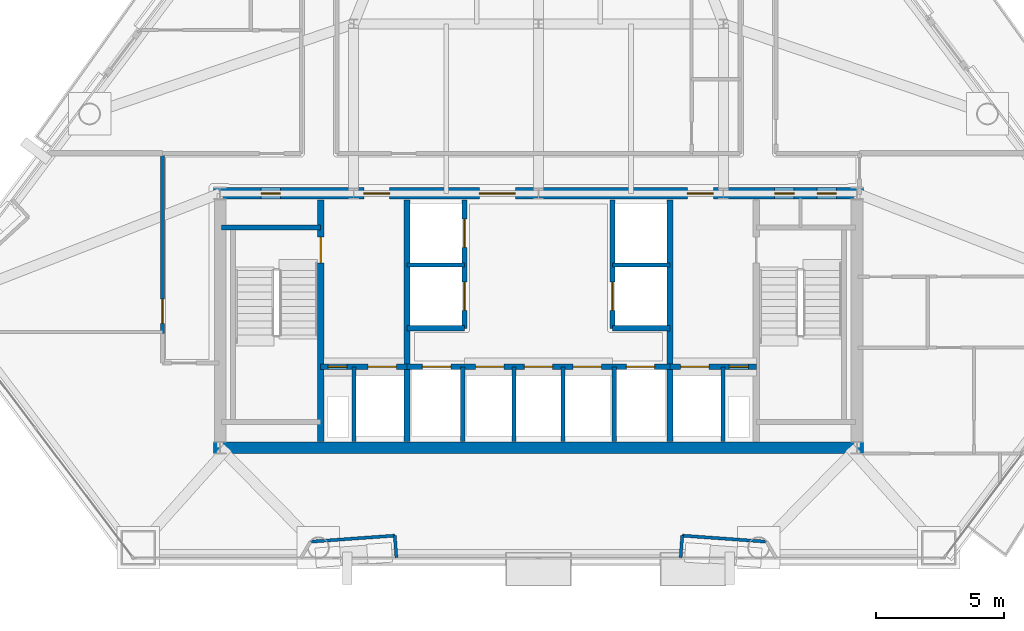
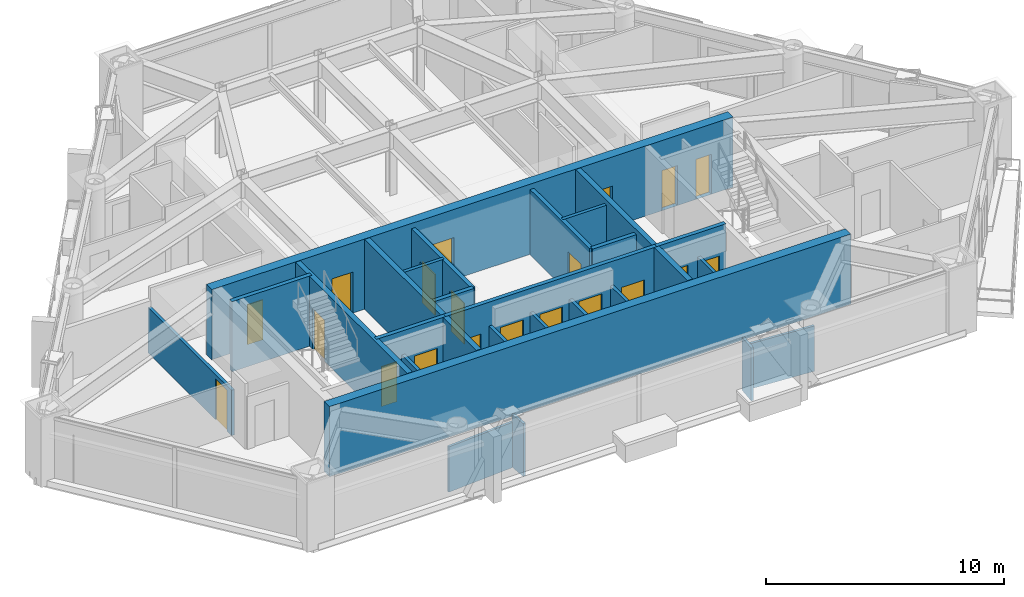
# One storey, part 6 of 10: 26 walls, 20 doors, 20 openings.
"""IFC4 building model written with IfcOpenShell, lengths in metres."""

from ifc_helpers import new_model, si_unit, direction, frame, frame_2d, origin, place, context, subcontext, project, spatial, rectangle, extrude, material, layer, layer_set, type_object, element, fill, save


model = new_model("IFC4")

# Units and contexts
model_context = context("Model", 3, precision=1e-05, world=origin(), true_north=direction((0.0, 1.0)))
body_context = subcontext(model_context, "Body", "Model", "MODEL_VIEW")
ifc_project = project(units=[si_unit("LENGTHUNIT", "METRE"), si_unit("AREAUNIT", "SQUARE_METRE"), si_unit("VOLUMEUNIT", "CUBIC_METRE"), si_unit("PLANEANGLEUNIT", "RADIAN"), si_unit("MASSUNIT", "GRAM", prefix="KILO")], contexts=[model_context])

# Site, building, storey
site_placement = place(None, origin())
site = spatial("IfcSite", under=ifc_project, at=site_placement, CompositionType="ELEMENT")
building_placement = place(site_placement, origin())
building = spatial("IfcBuilding", under=site, at=building_placement, Name="Talgorran Terracotta Tower", CompositionType="ELEMENT")
storey_placement = place(building_placement, frame((0.0, 0.0, 64.800048828125)))
storey = spatial("IfcBuildingStorey", under=building, at=storey_placement, Name="L16", CompositionType="ELEMENT", Elevation=64.800048828125)

# Wall
ifc_material_1 = material(Name="Concrete C50/60", Category="concrete")
ifc_layer_1 = layer(ifc_material_1, 0.199951171875, Name="WT_CORE_200")
ifc_layer_set_1 = layer_set([ifc_layer_1], Name="Concrete C50/60")
wall_type_1 = type_object("IfcWallType", Name="WT_CORE_200", PredefinedType="SOLIDWALL", material=ifc_layer_set_1)
wall_1_placement = place(storey_placement, frame((-12.35009765625, -5.52001953125, 0.0), z_axis=(0.0, 0.0, 1.0), x_axis=(1.0, 0.0, 0.0)))
element("IfcWall", 1, at=wall_1_placement, inside=storey, type_object=wall_type_1, Name="WL-L16-CW-ST1-N", PredefinedType="SOLIDWALL", context=body_context, shape_type="SweptSolid", body=[
    extrude(rectangle(XDim=3.8701171875, YDim=0.199951171875, at=frame_2d((1.93505859375, 0.0))), origin(), (0.0, 0.0, 1.0), 3.599853515625),
])

# Wall, openings, doors
wall_2_placement = place(storey_placement, frame((-8.47998046875, -10.949951171875, 0.0), z_axis=(0.0, 0.0, 1.0), x_axis=(1.0, 0.0, 0.0)))
wall_2 = element("IfcWall", 2, at=wall_2_placement, inside=storey, type_object=wall_type_1, Name="WL-L16-CW-H-SBW", PredefinedType="SOLIDWALL", context=body_context, shape_type="SweptSolid", body=[
    extrude(rectangle(XDim=3.35986328125, YDim=0.199951171875, at=frame_2d((1.679931640625, 0.0))), origin(), (0.0, 0.0, 1.0), 3.599853515625),
])
opening_1_placement = place(wall_2_placement, frame((0.280029296875, 0.0, 0.0)))
opening_1 = element("IfcOpeningElement", 3, at=opening_1_placement, cuts=wall_2, Name="Opening DR-RSW", PredefinedType="OPENING", context=body_context, shape_type="SweptSolid", body=[
    extrude(rectangle(XDim=0.756, YDim=2.054048828125, at=frame_2d((0.375, 1.027099609375))), frame((0.0, 0.10986328125, 0.0), z_axis=(0.0, -1.0, 0.0), x_axis=(1.0, 0.0, 0.0)), (0.0, 0.0, 1.0), 0.219970703125),
])
opening_2_placement = place(wall_2_placement, frame((1.85009765625, 0.0, 0.0)))
opening_2 = element("IfcOpeningElement", 4, at=opening_2_placement, cuts=wall_2, Name="Opening LD-FFL1", PredefinedType="OPENING", context=body_context, shape_type="SweptSolid", body=[
    extrude(rectangle(XDim=1.10609765625, YDim=2.10409765625, at=frame_2d((0.550048828125, 1.052001953125))), frame((0.0, 0.10986328125, 0.0), z_axis=(0.0, -1.0, 0.0), x_axis=(1.0, 0.0, 0.0)), (0.0, 0.0, 1.0), 0.219970703125),
])
ifc_material_2 = material(Name="Brushed Stainless Steel Grade 304", Category="steel")
door_type_1 = type_object("IfcDoorType", Name="DT_LIFT_LD1100", OperationType="DOUBLE_DOOR_SLIDING", PredefinedType="DOOR", material=ifc_material_2)
door_1_placement = place(opening_2_placement, origin())
door_1 = element("IfcDoor", 5, at=door_1_placement, inside=storey, type_object=door_type_1, Name="L16 Lift Landing Door LD-FFL1", OperationType="DOUBLE_DOOR_SLIDING", OverallHeight=2.10009765625, OverallWidth=1.10009765625, PredefinedType="DOOR", context=body_context, shape_type="SweptSolid", body=[
    extrude(rectangle(XDim=1.10009765625, YDim=2.10009765625, at=frame_2d((0.550048828125, 1.050048828125))), frame((0.0, 0.02490234375, 0.0), z_axis=(0.0, -1.0, 0.0), x_axis=(1.0, 0.0, 0.0)), (0.0, 0.0, 1.0), 0.050048828125),
])
fill(opening_2, door_1)
ifc_material_3 = material(Name="Fire-Rated Pressed Steel", Category="steel")
door_type_2 = type_object("IfcDoorType", Name="DT_RISER_750", OperationType="NOTDEFINED", PredefinedType="DOOR", material=ifc_material_3)
door_2_placement = place(opening_1_placement, origin())
door_2 = element("IfcDoor", 6, at=door_2_placement, inside=storey, type_object=door_type_2, Name="DR-RSW", OperationType="SINGLE_SWING_LEFT", OverallHeight=2.050048828125, OverallWidth=0.75, PredefinedType="DOOR", context=body_context, shape_type="SweptSolid", body=[
    extrude(rectangle(XDim=0.75, YDim=2.050048828125, at=frame_2d((0.375, 1.02490234375))), frame((0.0, 0.02490234375, 0.0), z_axis=(0.0, -1.0, 0.0), x_axis=(1.0, 0.0, 0.0)), (0.0, 0.0, 1.0), 0.050048828125),
])
fill(opening_1, door_2)

wall_3_placement = place(storey_placement, frame((-5.1201171875, -10.949951171875, 0.0), z_axis=(0.0, 0.0, 1.0), x_axis=(1.0, 0.0, 0.0)))
wall_3 = element("IfcWall", 7, at=wall_3_placement, inside=storey, type_object=wall_type_1, Name="WL-L16-CW-H-SBC", PredefinedType="SOLIDWALL", context=body_context, shape_type="SweptSolid", body=[
    extrude(rectangle(XDim=10.240234375, YDim=0.199951171875, at=frame_2d((5.1201171875, 0.0))), origin(), (0.0, 0.0, 1.0), 3.599853515625),
])
opening_3_placement = place(wall_3_placement, frame((0.60009765625, 0.0, 0.0)))
opening_3 = element("IfcOpeningElement", 8, at=opening_3_placement, cuts=wall_3, Name="Opening LD-OB1", PredefinedType="OPENING", context=body_context, shape_type="SweptSolid", body=[
    extrude(rectangle(XDim=1.10609765625, YDim=2.10409765625, at=frame_2d((0.550048828125, 1.052001953125))), frame((0.0, 0.10986328125, 0.0), z_axis=(0.0, -1.0, 0.0), x_axis=(1.0, 0.0, 0.0)), (0.0, 0.0, 1.0), 0.219970703125),
])
opening_4_placement = place(wall_3_placement, frame((2.669921875, 0.0, 0.0)))
opening_4 = element("IfcOpeningElement", 9, at=opening_4_placement, cuts=wall_3, Name="Opening LD-PLH1", PredefinedType="OPENING", context=body_context, shape_type="SweptSolid", body=[
    extrude(rectangle(XDim=1.10609765625, YDim=2.10409765625, at=frame_2d((0.550048828125, 1.052001953125))), frame((0.0, 0.10986328125, 0.0), z_axis=(0.0, -1.0, 0.0), x_axis=(1.0, 0.0, 0.0)), (0.0, 0.0, 1.0), 0.219970703125),
])
opening_5_placement = place(wall_3_placement, frame((4.570068359375, 0.0, 0.0)))
opening_5 = element("IfcOpeningElement", 10, at=opening_5_placement, cuts=wall_3, Name="Opening LD-PLH2", PredefinedType="OPENING", context=body_context, shape_type="SweptSolid", body=[
    extrude(rectangle(XDim=1.10609765625, YDim=2.10409765625, at=frame_2d((0.550048828125, 1.052001953125))), frame((0.0, 0.10986328125, 0.0), z_axis=(0.0, -1.0, 0.0), x_axis=(1.0, 0.0, 0.0)), (0.0, 0.0, 1.0), 0.219970703125),
])
opening_6_placement = place(wall_3_placement, frame((6.469970703125, 0.0, 0.0)))
opening_6 = element("IfcOpeningElement", 11, at=opening_6_placement, cuts=wall_3, Name="Opening LD-PLH3", PredefinedType="OPENING", context=body_context, shape_type="SweptSolid", body=[
    extrude(rectangle(XDim=1.10609765625, YDim=2.10409765625, at=frame_2d((0.550048828125, 1.052001953125))), frame((0.0, 0.10986328125, 0.0), z_axis=(0.0, -1.0, 0.0), x_axis=(1.0, 0.0, 0.0)), (0.0, 0.0, 1.0), 0.219970703125),
])
opening_7_placement = place(wall_3_placement, frame((8.5400390625, 0.0, 0.0)))
opening_7 = element("IfcOpeningElement", 12, at=opening_7_placement, cuts=wall_3, Name="Opening LD-SVL1", PredefinedType="OPENING", context=body_context, shape_type="SweptSolid", body=[
    extrude(rectangle(XDim=1.10609765625, YDim=2.10409765625, at=frame_2d((0.550048828125, 1.052001953125))), frame((0.0, 0.10986328125, 0.0), z_axis=(0.0, -1.0, 0.0), x_axis=(1.0, 0.0, 0.0)), (0.0, 0.0, 1.0), 0.219970703125),
])
door_3_placement = place(opening_3_placement, origin())
door_3 = element("IfcDoor", 13, at=door_3_placement, inside=storey, type_object=door_type_1, Name="L16 Lift Landing Door LD-OB1", OperationType="DOUBLE_DOOR_SLIDING", OverallHeight=2.10009765625, OverallWidth=1.10009765625, PredefinedType="DOOR", context=body_context, shape_type="SweptSolid", body=[
    extrude(rectangle(XDim=1.10009765625, YDim=2.10009765625, at=frame_2d((0.550048828125, 1.050048828125))), frame((0.0, 0.02490234375, 0.0), z_axis=(0.0, -1.0, 0.0), x_axis=(1.0, 0.0, 0.0)), (0.0, 0.0, 1.0), 0.050048828125),
])
fill(opening_3, door_3)
door_4_placement = place(opening_4_placement, origin())
door_4 = element("IfcDoor", 14, at=door_4_placement, inside=storey, type_object=door_type_1, Name="L16 Lift Landing Door LD-PLH1", OperationType="DOUBLE_DOOR_SLIDING", OverallHeight=2.10009765625, OverallWidth=1.10009765625, PredefinedType="DOOR", context=body_context, shape_type="SweptSolid", body=[
    extrude(rectangle(XDim=1.10009765625, YDim=2.10009765625, at=frame_2d((0.550048828125, 1.050048828125))), frame((0.0, 0.02490234375, 0.0), z_axis=(0.0, -1.0, 0.0), x_axis=(1.0, 0.0, 0.0)), (0.0, 0.0, 1.0), 0.050048828125),
])
fill(opening_4, door_4)
door_5_placement = place(opening_5_placement, origin())
door_5 = element("IfcDoor", 15, at=door_5_placement, inside=storey, type_object=door_type_1, Name="L16 Lift Landing Door LD-PLH2", OperationType="DOUBLE_DOOR_SLIDING", OverallHeight=2.10009765625, OverallWidth=1.10009765625, PredefinedType="DOOR", context=body_context, shape_type="SweptSolid", body=[
    extrude(rectangle(XDim=1.10009765625, YDim=2.10009765625, at=frame_2d((0.550048828125, 1.050048828125))), frame((0.0, 0.02490234375, 0.0), z_axis=(0.0, -1.0, 0.0), x_axis=(1.0, 0.0, 0.0)), (0.0, 0.0, 1.0), 0.050048828125),
])
fill(opening_5, door_5)
door_6_placement = place(opening_6_placement, origin())
door_6 = element("IfcDoor", 16, at=door_6_placement, inside=storey, type_object=door_type_1, Name="L16 Lift Landing Door LD-PLH3", OperationType="DOUBLE_DOOR_SLIDING", OverallHeight=2.10009765625, OverallWidth=1.10009765625, PredefinedType="DOOR", context=body_context, shape_type="SweptSolid", body=[
    extrude(rectangle(XDim=1.10009765625, YDim=2.10009765625, at=frame_2d((0.550048828125, 1.050048828125))), frame((0.0, 0.02490234375, 0.0), z_axis=(0.0, -1.0, 0.0), x_axis=(1.0, 0.0, 0.0)), (0.0, 0.0, 1.0), 0.050048828125),
])
fill(opening_6, door_6)
door_7_placement = place(opening_7_placement, origin())
door_7 = element("IfcDoor", 17, at=door_7_placement, inside=storey, type_object=door_type_1, Name="L16 Lift Landing Door LD-SVL1", OperationType="DOUBLE_DOOR_SLIDING", OverallHeight=2.10009765625, OverallWidth=1.10009765625, PredefinedType="DOOR", context=body_context, shape_type="SweptSolid", body=[
    extrude(rectangle(XDim=1.10009765625, YDim=2.10009765625, at=frame_2d((0.550048828125, 1.050048828125))), frame((0.0, 0.02490234375, 0.0), z_axis=(0.0, -1.0, 0.0), x_axis=(1.0, 0.0, 0.0)), (0.0, 0.0, 1.0), 0.050048828125),
])
fill(opening_7, door_7)

wall_4_placement = place(storey_placement, frame((5.1201171875, -10.949951171875, 0.0), z_axis=(0.0, 0.0, 1.0), x_axis=(1.0, 0.0, 0.0)))
wall_4 = element("IfcWall", 18, at=wall_4_placement, inside=storey, type_object=wall_type_1, Name="WL-L16-CW-H-SBE", PredefinedType="SOLIDWALL", context=body_context, shape_type="SweptSolid", body=[
    extrude(rectangle(XDim=3.35986328125, YDim=0.199951171875, at=frame_2d((1.679931640625, 0.0))), origin(), (0.0, 0.0, 1.0), 3.599853515625),
])
opening_8_placement = place(wall_4_placement, frame((0.419921875, 0.0, 0.0)))
opening_8 = element("IfcOpeningElement", 19, at=opening_8_placement, cuts=wall_4, Name="Opening LD-FFL2", PredefinedType="OPENING", context=body_context, shape_type="SweptSolid", body=[
    extrude(rectangle(XDim=1.10609765625, YDim=2.10409765625, at=frame_2d((0.550048828125, 1.052001953125))), frame((0.0, 0.10986328125, 0.0), z_axis=(0.0, -1.0, 0.0), x_axis=(1.0, 0.0, 0.0)), (0.0, 0.0, 1.0), 0.219970703125),
])
opening_9_placement = place(wall_4_placement, frame((2.300048828125, 0.0, 0.0)))
opening_9 = element("IfcOpeningElement", 20, at=opening_9_placement, cuts=wall_4, Name="Opening DR-RSE", PredefinedType="OPENING", context=body_context, shape_type="SweptSolid", body=[
    extrude(rectangle(XDim=0.756, YDim=2.054048828125, at=frame_2d((0.375, 1.027099609375))), frame((0.0, 0.10986328125, 0.0), z_axis=(0.0, -1.0, 0.0), x_axis=(1.0, 0.0, 0.0)), (0.0, 0.0, 1.0), 0.219970703125),
])
door_8_placement = place(opening_8_placement, origin())
door_8 = element("IfcDoor", 21, at=door_8_placement, inside=storey, type_object=door_type_1, Name="L16 Lift Landing Door LD-FFL2", OperationType="DOUBLE_DOOR_SLIDING", OverallHeight=2.10009765625, OverallWidth=1.10009765625, PredefinedType="DOOR", context=body_context, shape_type="SweptSolid", body=[
    extrude(rectangle(XDim=1.10009765625, YDim=2.10009765625, at=frame_2d((0.550048828125, 1.050048828125))), frame((0.0, 0.02490234375, 0.0), z_axis=(0.0, -1.0, 0.0), x_axis=(1.0, 0.0, 0.0)), (0.0, 0.0, 1.0), 0.050048828125),
])
fill(opening_8, door_8)
door_9_placement = place(opening_9_placement, origin())
door_9 = element("IfcDoor", 22, at=door_9_placement, inside=storey, type_object=door_type_2, Name="DR-RSE", OperationType="SINGLE_SWING_RIGHT", OverallHeight=2.050048828125, OverallWidth=0.75, PredefinedType="DOOR", context=body_context, shape_type="SweptSolid", body=[
    extrude(rectangle(XDim=0.75, YDim=2.050048828125, at=frame_2d((0.375, 1.02490234375))), frame((0.0, 0.02490234375, 0.0), z_axis=(0.0, -1.0, 0.0), x_axis=(1.0, 0.0, 0.0)), (0.0, 0.0, 1.0), 0.050048828125),
])
fill(opening_9, door_9)

wall_5_placement = place(storey_placement, frame((-2.8798828125, -9.449951171875, 0.0), z_axis=(0.0, 0.0, 1.0), x_axis=(0.0, 1.0, 0.0)))
wall_5 = element("IfcWall", 23, at=wall_5_placement, inside=storey, type_object=wall_type_1, Name="WL-L16-CW-V-W3", PredefinedType="SOLIDWALL", context=body_context, shape_type="SweptSolid", body=[
    extrude(rectangle(XDim=5.0, YDim=0.199951171875, at=frame_2d((2.5, 0.0))), origin(), (0.0, 0.0, 1.0), 3.349853515625),
])
opening_10_placement = place(wall_5_placement, frame((0.699951171875, 0.0, 0.0)))
opening_10 = element("IfcOpeningElement", 24, at=opening_10_placement, cuts=wall_5, Name="Opening LD-PLL1", PredefinedType="OPENING", context=body_context, shape_type="SweptSolid", body=[
    extrude(rectangle(XDim=1.10609765625, YDim=2.10409765625, at=frame_2d((0.550048828125, 1.052001953125))), frame((0.0, 0.10986328125, 0.0), z_axis=(0.0, -1.0, 0.0), x_axis=(1.0, 0.0, 0.0)), (0.0, 0.0, 1.0), 0.219970703125),
])
opening_11_placement = place(wall_5_placement, frame((3.14990234375, 0.0, 0.0)))
opening_11 = element("IfcOpeningElement", 25, at=opening_11_placement, cuts=wall_5, Name="Opening LD-PLL2", PredefinedType="OPENING", context=body_context, shape_type="SweptSolid", body=[
    extrude(rectangle(XDim=1.10609765625, YDim=2.10409765625, at=frame_2d((0.550048828125, 1.052001953125))), frame((0.0, 0.10986328125, 0.0), z_axis=(0.0, -1.0, 0.0), x_axis=(1.0, 0.0, 0.0)), (0.0, 0.0, 1.0), 0.219970703125),
])
door_10_placement = place(opening_10_placement, origin())
door_10 = element("IfcDoor", 26, at=door_10_placement, inside=storey, type_object=door_type_1, Name="L16 Lift Landing Door LD-PLL1", OperationType="DOUBLE_DOOR_SLIDING", OverallHeight=2.10009765625, OverallWidth=1.10009765625, PredefinedType="DOOR", context=body_context, shape_type="SweptSolid", body=[
    extrude(rectangle(XDim=1.10009765625, YDim=2.10009765625, at=frame_2d((0.550048828125, 1.050048828125))), frame((0.0, 0.02490234375, 0.0), z_axis=(0.0, -1.0, 0.0), x_axis=(1.0, 0.0, 0.0)), (0.0, 0.0, 1.0), 0.050048828125),
])
fill(opening_10, door_10)
door_11_placement = place(opening_11_placement, origin())
door_11 = element("IfcDoor", 27, at=door_11_placement, inside=storey, type_object=door_type_1, Name="L16 Lift Landing Door LD-PLL2", OperationType="DOUBLE_DOOR_SLIDING", OverallHeight=2.10009765625, OverallWidth=1.10009765625, PredefinedType="DOOR", context=body_context, shape_type="SweptSolid", body=[
    extrude(rectangle(XDim=1.10009765625, YDim=2.10009765625, at=frame_2d((0.550048828125, 1.050048828125))), frame((0.0, 0.02490234375, 0.0), z_axis=(0.0, -1.0, 0.0), x_axis=(1.0, 0.0, 0.0)), (0.0, 0.0, 1.0), 0.050048828125),
])
fill(opening_11, door_11)

# Wall
wall_6_placement = place(storey_placement, frame((-5.1201171875, -9.449951171875, 0.0), z_axis=(0.0, 0.0, 1.0), x_axis=(1.0, 0.0, 0.0)))
element("IfcWall", 28, at=wall_6_placement, inside=storey, type_object=wall_type_1, Name="WL-L16-CW-H-W4", PredefinedType="SOLIDWALL", context=body_context, shape_type="SweptSolid", body=[
    extrude(rectangle(XDim=2.240234375, YDim=0.199951171875, at=frame_2d((1.1201171875, 0.0))), origin(), (0.0, 0.0, 1.0), 3.349853515625),
])

# Wall, opening, door
wall_7_placement = place(storey_placement, frame((2.8798828125, -9.449951171875, 0.0), z_axis=(0.0, 0.0, 1.0), x_axis=(0.0, 1.0, 0.0)))
wall_7 = element("IfcWall", 29, at=wall_7_placement, inside=storey, type_object=wall_type_1, Name="WL-L16-CW-V-E3", PredefinedType="SOLIDWALL", context=body_context, shape_type="SweptSolid", body=[
    extrude(rectangle(XDim=5.0, YDim=0.199951171875, at=frame_2d((2.5, 0.0))), origin(), (0.0, 0.0, 1.0), 3.349853515625),
])
opening_12_placement = place(wall_7_placement, frame((0.699951171875, 0.0, 0.0)))
opening_12 = element("IfcOpeningElement", 30, at=opening_12_placement, cuts=wall_7, Name="Opening LD-PLM1", PredefinedType="OPENING", context=body_context, shape_type="SweptSolid", body=[
    extrude(rectangle(XDim=1.10609765625, YDim=2.10409765625, at=frame_2d((0.550048828125, 1.052001953125))), frame((0.0, 0.10986328125, 0.0), z_axis=(0.0, -1.0, 0.0), x_axis=(1.0, 0.0, 0.0)), (0.0, 0.0, 1.0), 0.219970703125),
])
door_12_placement = place(opening_12_placement, origin())
door_12 = element("IfcDoor", 31, at=door_12_placement, inside=storey, type_object=door_type_1, Name="L16 Lift Landing Door LD-PLM1", OperationType="DOUBLE_DOOR_SLIDING", OverallHeight=2.10009765625, OverallWidth=1.10009765625, PredefinedType="DOOR", context=body_context, shape_type="SweptSolid", body=[
    extrude(rectangle(XDim=1.10009765625, YDim=2.10009765625, at=frame_2d((0.550048828125, 1.050048828125))), frame((0.0, 0.02490234375, 0.0), z_axis=(0.0, -1.0, 0.0), x_axis=(1.0, 0.0, 0.0)), (0.0, 0.0, 1.0), 0.050048828125),
])
fill(opening_12, door_12)

# Wall
wall_8_placement = place(storey_placement, frame((2.8798828125, -9.449951171875, 0.0), z_axis=(0.0, 0.0, 1.0), x_axis=(1.0, 0.0, 0.0)))
element("IfcWall", 32, at=wall_8_placement, inside=storey, type_object=wall_type_1, Name="WL-L16-CW-H-E4", PredefinedType="SOLIDWALL", context=body_context, shape_type="SweptSolid", body=[
    extrude(rectangle(XDim=2.240234375, YDim=0.199951171875, at=frame_2d((1.1201171875, 0.0))), origin(), (0.0, 0.0, 1.0), 3.349853515625),
])

# Wall, opening, door
ifc_layer_2 = layer(ifc_material_1, 0.25, Name="WT_CORE_250")
ifc_layer_set_2 = layer_set([ifc_layer_2], Name="Concrete C50/60")
wall_type_2 = type_object("IfcWallType", Name="WT_CORE_250", PredefinedType="SHEAR", material=ifc_layer_set_2)
wall_9_placement = place(storey_placement, frame((-8.47998046875, -13.85009765625, 0.0), z_axis=(0.0, 0.0, 1.0), x_axis=(0.0, 1.0, 0.0)))
wall_9 = element("IfcWall", 33, at=wall_9_placement, inside=storey, type_object=wall_type_2, Name="WL-L16-CW-V-W1", PredefinedType="SHEAR", context=body_context, shape_type="SweptSolid", body=[
    extrude(rectangle(XDim=9.400146484375, YDim=0.25, at=frame_2d((4.7001953125, 0.0))), origin(), (0.0, 0.0, 1.0), 3.599853515625),
])
opening_13_placement = place(wall_9_placement, frame((6.949951171875, 0.0, 0.0)))
opening_13 = element("IfcOpeningElement", 34, at=opening_13_placement, cuts=wall_9, Name="Opening DR-ST01", PredefinedType="OPENING", context=body_context, shape_type="SweptSolid", body=[
    extrude(rectangle(XDim=1.006, YDim=2.10409765625, at=frame_2d((0.5, 1.052001953125))), frame((0.0, 0.135009765625, 0.0), z_axis=(0.0, -1.0, 0.0), x_axis=(1.0, 0.0, 0.0)), (0.0, 0.0, 1.0), 0.27001953125),
])
door_type_3 = type_object("IfcDoorType", Name="DT_FIRE_1000", OperationType="NOTDEFINED", PredefinedType="DOOR", material=ifc_material_3)
door_13_placement = place(opening_13_placement, origin())
door_13 = element("IfcDoor", 35, at=door_13_placement, inside=storey, type_object=door_type_3, Name="DR-ST01", OperationType="SINGLE_SWING_LEFT", OverallHeight=2.10009765625, OverallWidth=1.0, PredefinedType="DOOR", context=body_context, shape_type="SweptSolid", body=[
    extrude(rectangle(XDim=1.0, YDim=2.10009765625, at=frame_2d((0.5, 1.050048828125))), frame((0.0, 0.02490234375, 0.0), z_axis=(0.0, -1.0, 0.0), x_axis=(1.0, 0.0, 0.0)), (0.0, 0.0, 1.0), 0.050048828125),
])
fill(opening_13, door_13)

# Walls
for number, where, z_axis, x_axis, name in (
    (36, (-5.1201171875, -13.85009765625, 0.0), (0.0, 0.0, 1.0), (0.0, 1.0, 0.0), "WL-L16-CW-V-W2"),
    (37, (5.1201171875, -13.85009765625, 0.0), (0.0, 0.0, 1.0), (0.0, 1.0, 0.0), "WL-L16-CW-V-E2"),
):
    element("IfcWall", number, at=place(storey_placement, frame(where, z_axis=z_axis, x_axis=x_axis)), inside=storey, type_object=wall_type_2, Name=name, PredefinedType="SHEAR", context=body_context, shape_type="SweptSolid", body=[
        extrude(rectangle(XDim=9.400146484375, YDim=0.25, at=frame_2d((4.7001953125, 0.0))), origin(), (0.0, 0.0, 1.0), 3.599853515625),
    ])
ifc_material_4 = material(Name="Concrete C65/80", Category="concrete")
ifc_layer_3 = layer(ifc_material_4, 0.449951171875, Name="WT_CORE_EXT")
ifc_layer_set_3 = layer_set([ifc_layer_3], Name="Concrete C65/80")
wall_type_3 = type_object("IfcWallType", Name="WT_CORE_EXT", PredefinedType="SHEAR", material=ifc_layer_set_3)
wall_10_placement = place(storey_placement, frame((-12.64990234375, -14.10009765625, 0.0), z_axis=(0.0, 0.0, 1.0), x_axis=(1.0, 0.0, 0.0)))
element("IfcWall", 38, at=wall_10_placement, inside=storey, type_object=wall_type_3, Name="WL-L16-CW-OUT-S", PredefinedType="SHEAR", context=body_context, shape_type="SweptSolid", body=[
    extrude(rectangle(XDim=25.2998046875, YDim=0.449951171875, at=frame_2d((12.64990234375, 0.0))), origin(), (0.0, 0.0, 1.0), 3.599853515625),
])

# Wall, openings, doors
wall_11_placement = place(storey_placement, frame((-12.64990234375, -4.199951171875, 0.0), z_axis=(0.0, 0.0, 1.0), x_axis=(1.0, 0.0, 0.0)))
wall_11 = element("IfcWall", 39, at=wall_11_placement, inside=storey, type_object=wall_type_3, Name="WL-L16-CW-OUT-N", PredefinedType="SHEAR", context=body_context, shape_type="SweptSolid", body=[
    extrude(rectangle(XDim=25.2998046875, YDim=0.449951171875, at=frame_2d((12.64990234375, 0.0))), origin(), (0.0, 0.0, 1.0), 3.599853515625),
])
opening_14_placement = place(wall_11_placement, frame((1.85009765625, 0.0, 0.0)))
opening_14 = element("IfcOpeningElement", 40, at=opening_14_placement, cuts=wall_11, Name="Opening DR-CSN1", PredefinedType="OPENING", context=body_context, shape_type="SweptSolid", body=[
    extrude(rectangle(XDim=0.756, YDim=2.054048828125, at=frame_2d((0.375, 1.027099609375))), frame((0.0, 0.23486328125, 0.0), z_axis=(0.0, -1.0, 0.0), x_axis=(1.0, 0.0, 0.0)), (0.0, 0.0, 1.0), 0.469970703125),
])
opening_15_placement = place(wall_11_placement, frame((21.85009765625, 0.0, 0.0)))
opening_15 = element("IfcOpeningElement", 41, at=opening_15_placement, cuts=wall_11, Name="Opening DR-CSN2", PredefinedType="OPENING", context=body_context, shape_type="SweptSolid", body=[
    extrude(rectangle(XDim=0.756, YDim=2.054048828125, at=frame_2d((0.375, 1.027099609375))), frame((0.0, 0.23486328125, 0.0), z_axis=(0.0, -1.0, 0.0), x_axis=(1.0, 0.0, 0.0)), (0.0, 0.0, 1.0), 0.469970703125),
])
opening_16_placement = place(wall_11_placement, frame((23.5, 0.0, 0.0)))
opening_16 = element("IfcOpeningElement", 42, at=opening_16_placement, cuts=wall_11, Name="Opening DR-CSN3", PredefinedType="OPENING", context=body_context, shape_type="SweptSolid", body=[
    extrude(rectangle(XDim=0.756, YDim=2.054048828125, at=frame_2d((0.375, 1.027099609375))), frame((0.0, 0.23486328125, 0.0), z_axis=(0.0, -1.0, 0.0), x_axis=(1.0, 0.0, 0.0)), (0.0, 0.0, 1.0), 0.469970703125),
])
opening_17_placement = place(wall_11_placement, frame((5.85009765625, 0.0, 0.0)))
opening_17 = element("IfcOpeningElement", 43, at=opening_17_placement, cuts=wall_11, Name="Opening DR-FFLW-N", PredefinedType="OPENING", context=body_context, shape_type="SweptSolid", body=[
    extrude(rectangle(XDim=1.006, YDim=2.10409765625, at=frame_2d((0.5, 1.052001953125))), frame((0.0, 0.23486328125, 0.0), z_axis=(0.0, -1.0, 0.0), x_axis=(1.0, 0.0, 0.0)), (0.0, 0.0, 1.0), 0.469970703125),
])
opening_18_placement = place(wall_11_placement, frame((10.35009765625, 0.0, 0.0)))
opening_18 = element("IfcOpeningElement", 44, at=opening_18_placement, cuts=wall_11, Name="Opening DR-PLL-N", PredefinedType="OPENING", context=body_context, shape_type="SweptSolid", body=[
    extrude(rectangle(XDim=1.40590234375, YDim=2.15390234375, at=frame_2d((0.699951171875, 1.076904296875))), frame((0.0, 0.23486328125, 0.0), z_axis=(0.0, -1.0, 0.0), x_axis=(1.0, 0.0, 0.0)), (0.0, 0.0, 1.0), 0.469970703125),
])
opening_19_placement = place(wall_11_placement, frame((18.449951171875, 0.0, 0.0)))
opening_19 = element("IfcOpeningElement", 45, at=opening_19_placement, cuts=wall_11, Name="Opening DR-FFLE-N", PredefinedType="OPENING", context=body_context, shape_type="SweptSolid", body=[
    extrude(rectangle(XDim=1.006, YDim=2.10409765625, at=frame_2d((0.5, 1.052001953125))), frame((0.0, 0.23486328125, 0.0), z_axis=(0.0, -1.0, 0.0), x_axis=(1.0, 0.0, 0.0)), (0.0, 0.0, 1.0), 0.469970703125),
])
ifc_material_5 = material(Name="Acoustic Glazed Timber", Category="wood")
door_type_4 = type_object("IfcDoorType", Name="DT_DOUBLE_1400", OperationType="DOUBLE_DOOR_SINGLE_SWING", PredefinedType="DOOR", material=ifc_material_5)
door_14_placement = place(opening_18_placement, origin())
door_14 = element("IfcDoor", 46, at=door_14_placement, inside=storey, type_object=door_type_4, Name="DR-PLL-N", OperationType="DOUBLE_DOOR_SINGLE_SWING", OverallHeight=2.14990234375, OverallWidth=1.39990234375, PredefinedType="DOOR", context=body_context, shape_type="SweptSolid", body=[
    extrude(rectangle(XDim=1.39990234375, YDim=2.14990234375, at=frame_2d((0.699951171875, 1.074951171875))), frame((0.0, 0.02490234375, 0.0), z_axis=(0.0, -1.0, 0.0), x_axis=(1.0, 0.0, 0.0)), (0.0, 0.0, 1.0), 0.050048828125),
])
fill(opening_18, door_14)
door_15_placement = place(opening_17_placement, origin())
door_15 = element("IfcDoor", 47, at=door_15_placement, inside=storey, type_object=door_type_3, Name="DR-FFLW-N", OperationType="SINGLE_SWING_LEFT", OverallHeight=2.10009765625, OverallWidth=1.0, PredefinedType="DOOR", context=body_context, shape_type="SweptSolid", body=[
    extrude(rectangle(XDim=1.0, YDim=2.10009765625, at=frame_2d((0.5, 1.050048828125))), frame((0.0, 0.02490234375, 0.0), z_axis=(0.0, -1.0, 0.0), x_axis=(1.0, 0.0, 0.0)), (0.0, 0.0, 1.0), 0.050048828125),
])
fill(opening_17, door_15)
door_16_placement = place(opening_19_placement, origin())
door_16 = element("IfcDoor", 48, at=door_16_placement, inside=storey, type_object=door_type_3, Name="DR-FFLE-N", OperationType="SINGLE_SWING_RIGHT", OverallHeight=2.10009765625, OverallWidth=1.0, PredefinedType="DOOR", context=body_context, shape_type="SweptSolid", body=[
    extrude(rectangle(XDim=1.0, YDim=2.10009765625, at=frame_2d((0.5, 1.050048828125))), frame((0.0, 0.02490234375, 0.0), z_axis=(0.0, -1.0, 0.0), x_axis=(1.0, 0.0, 0.0)), (0.0, 0.0, 1.0), 0.050048828125),
])
fill(opening_19, door_16)
door_17_placement = place(opening_14_placement, origin())
door_17 = element("IfcDoor", 49, at=door_17_placement, inside=storey, type_object=door_type_2, Name="DR-CSN1", OperationType="SINGLE_SWING_LEFT", OverallHeight=2.050048828125, OverallWidth=0.75, PredefinedType="DOOR", context=body_context, shape_type="SweptSolid", body=[
    extrude(rectangle(XDim=0.75, YDim=2.050048828125, at=frame_2d((0.375, 1.02490234375))), frame((0.0, 0.02490234375, 0.0), z_axis=(0.0, -1.0, 0.0), x_axis=(1.0, 0.0, 0.0)), (0.0, 0.0, 1.0), 0.050048828125),
])
fill(opening_14, door_17)
door_18_placement = place(opening_15_placement, origin())
door_18 = element("IfcDoor", 50, at=door_18_placement, inside=storey, type_object=door_type_2, Name="DR-CSN2", OperationType="SINGLE_SWING_LEFT", OverallHeight=2.050048828125, OverallWidth=0.75, PredefinedType="DOOR", context=body_context, shape_type="SweptSolid", body=[
    extrude(rectangle(XDim=0.75, YDim=2.050048828125, at=frame_2d((0.375, 1.02490234375))), frame((0.0, 0.02490234375, 0.0), z_axis=(0.0, -1.0, 0.0), x_axis=(1.0, 0.0, 0.0)), (0.0, 0.0, 1.0), 0.050048828125),
])
fill(opening_15, door_18)
door_19_placement = place(opening_16_placement, origin())
door_19 = element("IfcDoor", 51, at=door_19_placement, inside=storey, type_object=door_type_2, Name="DR-CSN3", OperationType="SINGLE_SWING_RIGHT", OverallHeight=2.050048828125, OverallWidth=0.75, PredefinedType="DOOR", context=body_context, shape_type="SweptSolid", body=[
    extrude(rectangle(XDim=0.75, YDim=2.050048828125, at=frame_2d((0.375, 1.02490234375))), frame((0.0, 0.02490234375, 0.0), z_axis=(0.0, -1.0, 0.0), x_axis=(1.0, 0.0, 0.0)), (0.0, 0.0, 1.0), 0.050048828125),
])
fill(opening_16, door_19)

# Wall, opening, door
ifc_material_6 = material(Name="Fire-Rated Steel Stud Plasterboard", Category="steel")
ifc_layer_4 = layer(ifc_material_6, 0.14990234375, Name="WT_FIRE_150")
ifc_layer_set_4 = layer_set([ifc_layer_4], Name="Fire-Rated Steel Stud Plasterboard")
wall_type_4 = type_object("IfcWallType", Name="WT_FIRE_150", PredefinedType="PARTITIONING", material=ifc_layer_set_4)
wall_12_placement = place(storey_placement, frame((-14.639892578125, -9.659912109375, 0.0), z_axis=(0.0, 0.0, 1.0), x_axis=(0.0, 1.0, 0.0)))
wall_12 = element("IfcWall", 52, at=wall_12_placement, inside=storey, type_object=wall_type_4, Name="WL-L16-W-L16-R01", PredefinedType="PARTITIONING", context=body_context, shape_type="SweptSolid", body=[
    extrude(rectangle(XDim=7.02001953125, YDim=0.14990234375, at=frame_2d((3.510009765625, 0.0))), origin(), (0.0, 0.0, 1.0), 2.324951171875),
])
opening_20_placement = place(wall_12_placement, frame((0.3994140625, 0.0, 0.0)))
opening_20 = element("IfcOpeningElement", 53, at=opening_20_placement, cuts=wall_12, Name="Opening DR-L16-R01", PredefinedType="OPENING", context=body_context, shape_type="SweptSolid", body=[
    extrude(rectangle(XDim=0.955951171875, YDim=2.10409765625, at=frame_2d((0.47509765625, 1.052001953125))), frame((0.0, 0.0849609375, 0.0), z_axis=(0.0, -1.0, 0.0), x_axis=(1.0, 0.0, 0.0)), (0.0, 0.0, 1.0), 0.169921875),
])
ifc_material_7 = material(Name="Fire-Rated Timber Core", Category="wood")
door_type_5 = type_object("IfcDoorType", Name="DT_FIRE_950", OperationType="NOTDEFINED", PredefinedType="DOOR", material=ifc_material_7)
door_20_placement = place(opening_20_placement, origin())
door_20 = element("IfcDoor", 54, at=door_20_placement, inside=storey, type_object=door_type_5, Name="DR-L16-R01", OperationType="SINGLE_SWING_LEFT", OverallHeight=2.10009765625, OverallWidth=0.949951171875, PredefinedType="DOOR", context=body_context, shape_type="SweptSolid", body=[
    extrude(rectangle(XDim=0.949951171875, YDim=2.10009765625, at=frame_2d((0.47509765625, 1.050048828125))), frame((0.0, 0.02490234375, 0.0), z_axis=(0.0, -1.0, 0.0), x_axis=(1.0, 0.0, 0.0)), (0.0, 0.0, 1.0), 0.050048828125),
])
fill(opening_20, door_20)

# Walls
ifc_material_8 = material(Name="Insulated Steel Stud Plasterboard", Category="steel")
ifc_layer_5 = layer(ifc_material_8, 0.1201171875, Name="WT_PART_120")
ifc_layer_set_5 = layer_set([ifc_layer_5], Name="Insulated Steel Stud Plasterboard")
wall_type_5 = type_object("IfcWallType", Name="WT_PART_120", PredefinedType="PARTITIONING", material=ifc_layer_set_5)
for number, where, z_axis, x_axis, name in (
    (55, (-8.879150390625, -17.7587890625, 0.0), (0.0, 0.0, 1.0), (0.997421304673, 0.071768662969, 0.0), "WL-L16-BW-L16-01"),
    (56, (5.5947265625, -17.5224609375, 0.0), (0.0, 0.0, 1.0), (0.997421304673, -0.071768662969, 0.0), "WL-L16-BW-L16-04"),
):
    element("IfcWall", number, at=place(storey_placement, frame(where, z_axis=z_axis, x_axis=x_axis)), inside=storey, type_object=wall_type_5, Name=name, PredefinedType="PARTITIONING", context=body_context, shape_type="SweptSolid", body=[
        extrude(rectangle(XDim=3.29296875, YDim=0.1201171875, at=frame_2d((1.646484375, 0.0))), origin(), (0.0, 0.0, 1.0), 2.324951171875),
    ])
for number, where, z_axis, x_axis, name in (
    (57, (-5.5947265625, -17.5224609375, 0.0), (0.0, 0.0, 1.0), (0.071750899464, -0.997422582673, 0.0), "WL-L16-BW-L16-02"),
    (58, (5.532958984375, -18.381103515625, 0.0), (0.0, 0.0, 1.0), (0.071750899464, 0.997422582673, 0.0), "WL-L16-BW-L16-06"),
):
    element("IfcWall", number, at=place(storey_placement, frame(where, z_axis=z_axis, x_axis=x_axis)), inside=storey, type_object=wall_type_5, Name=name, PredefinedType="PARTITIONING", context=body_context, shape_type="SweptSolid", body=[
        extrude(rectangle(XDim=0.86083984375, YDim=0.1201171875, at=frame_2d((0.430419921875, 0.0))), origin(), (0.0, 0.0, 1.0), 2.71337890625),
    ])
ifc_material_9 = material(Name="Fire-Rated Shaftwall")
ifc_layer_6 = layer(ifc_material_9, 0.159912109375, Name="WT_PART_150")
ifc_layer_set_6 = layer_set([ifc_layer_6], Name="Fire-Rated Shaftwall")
wall_type_6 = type_object("IfcWallType", Name="WT_PART_150", PredefinedType="PARTITIONING", material=ifc_layer_set_6)
for number, where, z_axis, x_axis, name in (
    (59, (-5.1201171875, -6.97998046875, 0.0), (0.0, 0.0, 1.0), (1.0, 0.0, 0.0), "WL-L16-CW-PLL-DIV"),
    (60, (2.8798828125, -6.97998046875, 0.0), (0.0, 0.0, 1.0), (1.0, 0.0, 0.0), "WL-L16-CW-PLM-DIV"),
):
    element("IfcWall", number, at=place(storey_placement, frame(where, z_axis=z_axis, x_axis=x_axis)), inside=storey, type_object=wall_type_6, Name=name, PredefinedType="PARTITIONING", context=body_context, shape_type="SweptSolid", body=[
        extrude(rectangle(XDim=2.240234375, YDim=0.159912109375, at=frame_2d((1.1201171875, 0.0))), origin(), (0.0, 0.0, 1.0), 3.349853515625),
    ])
for number, where, z_axis, x_axis, name in (
    (61, (-7.179931640625, -13.85009765625, 0.0), (0.0, 0.0, 1.0), (0.0, 1.0, 0.0), "WL-L16-CW-RSW"),
    (62, (7.179931640625, -13.85009765625, 0.0), (0.0, 0.0, 1.0), (0.0, 1.0, 0.0), "WL-L16-CW-RSE"),
    (63, (-2.949951171875, -13.85009765625, 0.0), (0.0, 0.0, 1.0), (0.0, 1.0, 0.0), "WL-L16-CW-OB-E"),
    (64, (2.949951171875, -13.85009765625, 0.0), (0.0, 0.0, 1.0), (0.0, 1.0, 0.0), "WL-L16-CW-SV-W"),
    (65, (-0.949951171875, -13.85009765625, 0.0), (0.0, 0.0, 1.0), (0.0, 1.0, 0.0), "WL-L16-CW-PLH-D1"),
    (66, (0.949951171875, -13.85009765625, 0.0), (0.0, 0.0, 1.0), (0.0, 1.0, 0.0), "WL-L16-CW-PLH-D2"),
):
    element("IfcWall", number, at=place(storey_placement, frame(where, z_axis=z_axis, x_axis=x_axis)), inside=storey, type_object=wall_type_6, Name=name, PredefinedType="PARTITIONING", context=body_context, shape_type="SweptSolid", body=[
        extrude(rectangle(XDim=2.900146484375, YDim=0.159912109375, at=frame_2d((1.4501953125, 0.0))), origin(), (0.0, 0.0, 1.0), 2.375),
    ])

save(model, "model.ifc")
